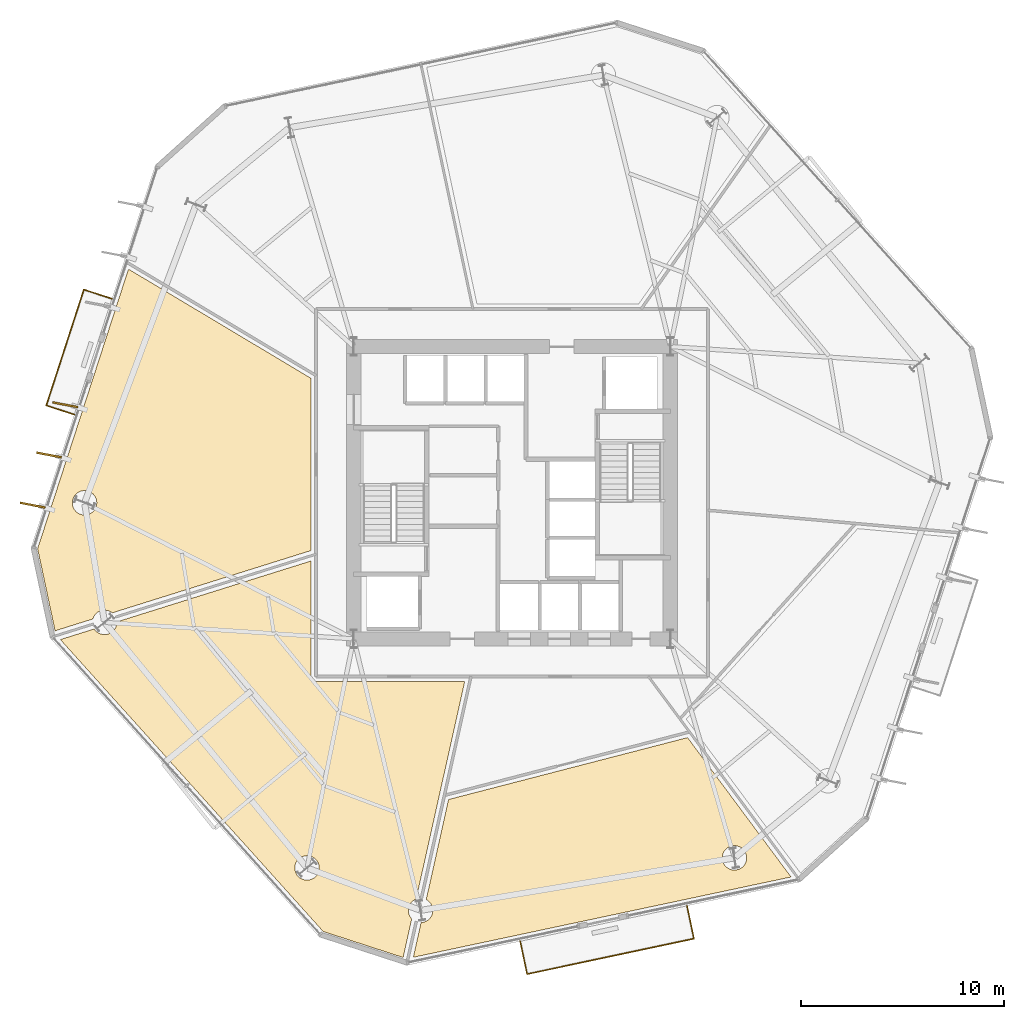
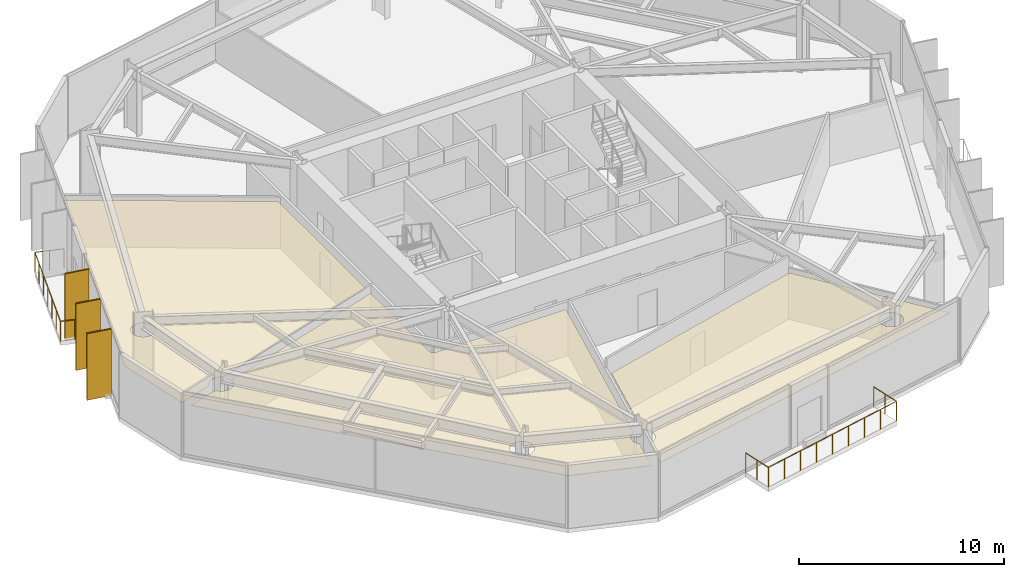
# One storey, part 8 of 10: 6 coverings, 3 shading devices, 2 railings.
"""IFC4 building model written with IfcOpenShell, lengths in metres."""

from ifc_helpers import new_model, si_unit, direction, frame, origin, origin_2d, place, context, subcontext, project, spatial, polyline, rectangle, circle, outline, extrude, material, layer, layer_set, type_object, element, save


model = new_model("IFC4")

# Units and contexts
model_context = context("Model", 3, precision=1e-05, world=origin(), true_north=direction((0.0, 1.0)))
body_context = subcontext(model_context, "Body", "Model", "MODEL_VIEW")
ifc_project = project(units=[si_unit("LENGTHUNIT", "METRE"), si_unit("AREAUNIT", "SQUARE_METRE"), si_unit("VOLUMEUNIT", "CUBIC_METRE"), si_unit("PLANEANGLEUNIT", "RADIAN"), si_unit("MASSUNIT", "GRAM", prefix="KILO")], contexts=[model_context])

# Site, building, storey
site_placement = place(None, origin())
site = spatial("IfcSite", under=ifc_project, at=site_placement, CompositionType="ELEMENT")
building_placement = place(site_placement, origin())
building = spatial("IfcBuilding", under=site, at=building_placement, Name="Kranzbogen Civic Tower", CompositionType="ELEMENT")
storey_placement = place(building_placement, frame((0.0, 0.0, 68.0)))
storey = spatial("IfcBuildingStorey", under=building, at=storey_placement, Name="L16", CompositionType="ELEMENT", Elevation=68.0)

# Coverings
ifc_material_1 = material(Name="Pale Anodised Aluminium", Category="aluminium")
ifc_layer_1 = layer(ifc_material_1, 0.02490234375, Name="Pale Anodised Aluminium")
ifc_layer_set_1 = layer_set([ifc_layer_1], Name="Pale Anodised Aluminium")
covering_type_1 = type_object("IfcCoveringType", Name="Anodised Aluminium Vertical Fin Cladding 25 mm", PredefinedType="CLADDING", material=ifc_layer_set_1)
for number, where, z_axis, x_axis, name in (
    (1, (2.991943359375, 29.333984375, -0.139892578125), (0.0, 0.0, 1.0), (-0.982395011686, 0.186815526695, 0.0), "L16 vertical fin pale-metal cladding F3-5"),
    (2, (2.18896484375, 26.861083984375, -0.139892578125), (0.0, 0.0, 1.0), (-0.982395011686, 0.186815526695, 0.0), "L16 vertical fin pale-metal cladding F3-6"),
    (3, (1.385009765625, 24.388916015625, -0.139892578125), (0.0, 0.0, 1.0), (-0.982395011686, 0.186815526695, 0.0), "L16 vertical fin pale-metal cladding F3-7"),
):
    element("IfcCovering", number, at=place(storey_placement, frame(where, z_axis=z_axis, x_axis=x_axis)), inside=storey, type_object=covering_type_1, Name=name, PredefinedType="CLADDING", context=body_context, shape_type="SweptSolid", body=[
        extrude(rectangle(XDim=1.25, YDim=0.10009765625, at=origin_2d()), origin(), (0.0, 0.0, 1.0), 3.9599609375),
    ])

# Shading devices
ifc_material_2 = material(Name="Anodised Bronze Aluminium", Category="aluminium")
shading_device_type = type_object("IfcShadingDeviceType", Name="Anodised Bronze Vertical Facade Fin 1250x80", PredefinedType="USERDEFINED", material=ifc_material_2)
for number, where, z_axis, x_axis, name in (
    (4, (2.991943359375, 29.333984375, -0.139892578125), (0.0, 0.0, 1.0), (-0.982395011686, 0.186815526695, 0.0), "L16 vertical exterior shading fin F3-5"),
    (5, (2.18896484375, 26.861083984375, -0.139892578125), (0.0, 0.0, 1.0), (-0.982395011686, 0.186815526695, 0.0), "L16 vertical exterior shading fin F3-6"),
    (6, (1.385009765625, 24.388916015625, -0.139892578125), (0.0, 0.0, 1.0), (-0.982395011686, 0.186815526695, 0.0), "L16 vertical exterior shading fin F3-7"),
):
    element("IfcShadingDevice", number, at=place(storey_placement, frame(where, z_axis=z_axis, x_axis=x_axis)), inside=storey, type_object=shading_device_type, Name=name, ObjectType="FIN", PredefinedType="USERDEFINED", context=body_context, shape_type="SweptSolid", body=[
        extrude(rectangle(XDim=1.25, YDim=0.080078125, at=origin_2d()), origin(), (0.0, 0.0, 1.0), 3.9599609375),
    ])

# Railings
railing_type = type_object("IfcRailingType", Name="Cantilevered Balcony Glass and Bronze Balustrade 1200", PredefinedType="BALUSTRADE", material=ifc_material_2)
railing_1_placement = place(storey_placement, frame((5.2890625, 34.55908203125, 0.0)))
element("IfcRailing", 7, at=railing_1_placement, inside=storey, type_object=railing_type, Name="L16 exterior terrace balustrade L16-TB1", PredefinedType="BALUSTRADE", context=body_context, shape_type="SweptSolid", body=[
    extrude(circle(Radius=0.02392578125, at=origin_2d()), frame((0.0, 0.0, 1.17578125), z_axis=(-0.951079836914, 0.308945211672, 0.0), x_axis=(-0.308945211672, -0.951079836914, 0.0)), (0.0, 0.0, 1.0), 1.4501953125),
    extrude(circle(Radius=0.02392578125, at=origin_2d()), frame((-1.379150390625, 0.447998046875, 1.17578125), z_axis=(-0.308968313309, -0.951072332355, 0.0), x_axis=(0.951072332355, -0.308968313309, 0.0)), (0.0, 0.0, 1.0), 6.000732421875),
    extrude(circle(Radius=0.02392578125, at=origin_2d()), frame((-3.233154296875, -5.259033203125, 1.17578125), z_axis=(0.951079836914, -0.308945211672, 0.0), x_axis=(0.308945211672, 0.951079836914, 0.0)), (0.0, 0.0, 1.0), 1.4501953125),
    extrude(circle(Radius=0.02099609375, at=origin_2d()), origin(), (0.0, 0.0, 1.0), 1.15185546875),
    extrude(circle(Radius=0.02099609375, at=origin_2d()), frame((-0.689453125, 0.22412109375, 0.0)), (0.0, 0.0, 1.0), 1.15185546875),
    extrude(circle(Radius=0.02099609375, at=origin_2d()), frame((-1.379150390625, 0.447998046875, 0.0)), (0.0, 0.0, 1.0), 1.15185546875),
    extrude(circle(Radius=0.02099609375, at=origin_2d()), frame((-1.688232421875, -0.503173828125, 0.0)), (0.0, 0.0, 1.0), 1.15185546875),
    extrude(circle(Radius=0.02099609375, at=origin_2d()), frame((-1.9970703125, -1.454345703125, 0.0)), (0.0, 0.0, 1.0), 1.15185546875),
    extrude(circle(Radius=0.02099609375, at=origin_2d()), frame((-2.30615234375, -2.405517578125, 0.0)), (0.0, 0.0, 1.0), 1.15185546875),
    extrude(circle(Radius=0.02099609375, at=origin_2d()), frame((-2.615234375, -3.356689453125, 0.0)), (0.0, 0.0, 1.0), 1.15185546875),
    extrude(circle(Radius=0.02099609375, at=origin_2d()), frame((-2.924072265625, -4.307861328125, 0.0)), (0.0, 0.0, 1.0), 1.15185546875),
    extrude(circle(Radius=0.02099609375, at=origin_2d()), frame((-3.233154296875, -5.259033203125, 0.0)), (0.0, 0.0, 1.0), 1.15185546875),
    extrude(circle(Radius=0.02099609375, at=origin_2d()), frame((-2.54345703125, -5.48291015625, 0.0)), (0.0, 0.0, 1.0), 1.15185546875),
    extrude(circle(Radius=0.02099609375, at=origin_2d()), frame((-1.85400390625, -5.70703125, 0.0)), (0.0, 0.0, 1.0), 1.15185546875),
])
railing_2_placement = place(storey_placement, frame((25.403076171875, 2.90087890625, 0.0)))
element("IfcRailing", 8, at=railing_2_placement, inside=storey, type_object=railing_type, Name="L16 exterior terrace balustrade L16-ST", PredefinedType="BALUSTRADE", context=body_context, shape_type="SweptSolid", body=[
    extrude(circle(Radius=0.02392578125, at=origin_2d()), frame((0.0, 0.0, 1.17578125), z_axis=(0.207911850433, -0.978147566806, 0.0), x_axis=(0.978147566806, 0.207911850433, 0.0)), (0.0, 0.0, 1.0), 1.64990234375),
    extrude(circle(Radius=0.02392578125, at=origin_2d()), frame((0.343017578125, -1.61376953125, 1.17578125), z_axis=(0.978164168857, 0.207833728651, 0.0), x_axis=(-0.207833728651, 0.978164168857, 0.0)), (0.0, 0.0, 1.0), 8.400146484375),
    extrude(circle(Radius=0.02392578125, at=origin_2d()), frame((8.559814453125, 0.132080078125, 1.17578125), z_axis=(-0.207740189156, 0.978184038824, 0.0), x_axis=(-0.978184038824, -0.207740189156, 0.0)), (0.0, 0.0, 1.0), 1.64990234375),
    extrude(circle(Radius=0.02099609375, at=origin_2d()), origin(), (0.0, 0.0, 1.0), 1.15185546875),
    extrude(circle(Radius=0.02099609375, at=origin_2d()), frame((0.17138671875, -0.806884765625, 0.0)), (0.0, 0.0, 1.0), 1.15185546875),
    extrude(circle(Radius=0.02099609375, at=origin_2d()), frame((0.343017578125, -1.61376953125, 0.0)), (0.0, 0.0, 1.0), 1.15185546875),
    extrude(circle(Radius=0.02099609375, at=origin_2d()), frame((1.3701171875, -1.3955078125, 0.0)), (0.0, 0.0, 1.0), 1.15185546875),
    extrude(circle(Radius=0.02099609375, at=origin_2d()), frame((2.397216796875, -1.17724609375, 0.0)), (0.0, 0.0, 1.0), 1.15185546875),
    extrude(circle(Radius=0.02099609375, at=origin_2d()), frame((3.42431640625, -0.958984375, 0.0)), (0.0, 0.0, 1.0), 1.15185546875),
    extrude(circle(Radius=0.02099609375, at=origin_2d()), frame((4.451416015625, -0.74072265625, 0.0)), (0.0, 0.0, 1.0), 1.15185546875),
    extrude(circle(Radius=0.02099609375, at=origin_2d()), frame((5.478515625, -0.522705078125, 0.0)), (0.0, 0.0, 1.0), 1.15185546875),
    extrude(circle(Radius=0.02099609375, at=origin_2d()), frame((6.505615234375, -0.304443359375, 0.0)), (0.0, 0.0, 1.0), 1.15185546875),
    extrude(circle(Radius=0.02099609375, at=origin_2d()), frame((7.53271484375, -0.086181640625, 0.0)), (0.0, 0.0, 1.0), 1.15185546875),
    extrude(circle(Radius=0.02099609375, at=origin_2d()), frame((8.559814453125, 0.132080078125, 0.0)), (0.0, 0.0, 1.0), 1.15185546875),
    extrude(circle(Radius=0.02099609375, at=origin_2d()), frame((8.388427734375, 0.93896484375, 0.0)), (0.0, 0.0, 1.0), 1.15185546875),
    extrude(circle(Radius=0.02099609375, at=origin_2d()), frame((8.217041015625, 1.74609375, 0.0)), (0.0, 0.0, 1.0), 1.15185546875),
])

# Coverings
ifc_material_3 = material(Name="Perforated Acoustic Gypsum Ceiling")
ifc_layer_2 = layer(ifc_material_3, 0.02490234375, Name="Perforated Acoustic Gypsum Ceiling")
ifc_layer_set_2 = layer_set([ifc_layer_2], Name="Perforated Acoustic Gypsum Ceiling")
covering_type_2 = type_object("IfcCoveringType", Name="Perforated Acoustic Mineral Ceiling Tile 25 mm", PredefinedType="CEILING", material=ifc_layer_set_2)
covering_1_placement = place(storey_placement, frame((0.0, 0.0, 2.89990234375)))
element("IfcCovering", 9, at=covering_1_placement, inside=storey, type_object=covering_type_2, Name="L16 Visitor Concierge Foyer acoustic ceiling", PredefinedType="CEILING", context=body_context, shape_type="SweptSolid", body=[
    extrude(outline(polyline([(2.75, 17.76708984375), (4.4208984375, 18.291015625), (4.427001953125, 18.280029296875), (4.462890625, 18.23193359375), (4.501953125, 18.18798828125), (4.5458984375, 18.14892578125), (4.593994140625, 18.113037109375), (4.64404296875, 18.0830078125), (4.697998046875, 18.05810546875), (4.7529296875, 18.0380859375), (4.81103515625, 18.02392578125), (4.868896484375, 18.014892578125), (4.927978515625, 18.011962890625), (4.987060546875, 18.014892578125), (5.044921875, 18.02392578125), (5.10302734375, 18.0380859375), (5.157958984375, 18.05810546875), (5.2119140625, 18.0830078125), (5.261962890625, 18.113037109375), (5.31005859375, 18.14892578125), (5.35400390625, 18.18798828125), (5.39306640625, 18.23193359375), (5.428955078125, 18.280029296875), (5.458984375, 18.330078125), (5.48388671875, 18.384033203125), (5.50390625, 18.43896484375), (5.51806640625, 18.4970703125), (5.527099609375, 18.554931640625), (5.530029296875, 18.614013671875), (5.529052734375, 18.637939453125), (15.10498046875, 21.64111328125), (15.10498046875, 15.949951171875), (15.10498046875, 15.94091796875), (15.10595703125, 15.93505859375), (15.10693359375, 15.9169921875), (15.10791015625, 15.910888671875), (15.112060546875, 15.89404296875), (15.113037109375, 15.886962890625), (15.117919921875, 15.8701171875), (15.1201171875, 15.864013671875), (15.126953125, 15.847900390625), (15.1298828125, 15.842041015625), (15.137939453125, 15.826904296875), (15.14208984375, 15.821044921875), (15.15087890625, 15.806884765625), (15.155029296875, 15.802001953125), (15.166015625, 15.7880859375), (15.1708984375, 15.782958984375), (15.18310546875, 15.77099609375), (15.18798828125, 15.76611328125), (15.201904296875, 15.7548828125), (15.20703125, 15.7509765625), (15.220947265625, 15.741943359375), (15.22705078125, 15.738037109375), (15.241943359375, 15.72998046875), (15.248046875, 15.72705078125), (15.263916015625, 15.719970703125), (15.27001953125, 15.718017578125), (15.287109375, 15.712890625), (15.2939453125, 15.7119140625), (15.31103515625, 15.7080078125), (15.31689453125, 15.70703125), (15.3349609375, 15.7060546875), (15.341064453125, 15.705078125), (15.35009765625, 15.705078125), (22.673095703125, 15.705078125), (20.278076171875, 4.985107421875), (20.264892578125, 4.97998046875), (20.2109375, 4.955078125), (20.160888671875, 4.925048828125), (20.113037109375, 4.888916015625), (20.069091796875, 4.85009765625), (20.030029296875, 4.805908203125), (19.993896484375, 4.758056640625), (19.964111328125, 4.7080078125), (19.93896484375, 4.654052734375), (19.9189453125, 4.59912109375), (19.905029296875, 4.541015625), (19.89599609375, 4.48291015625), (19.89306640625, 4.424072265625), (19.89599609375, 4.364990234375), (19.905029296875, 4.306884765625), (19.9189453125, 4.2490234375), (19.93896484375, 4.194091796875), (19.964111328125, 4.139892578125), (19.993896484375, 4.090087890625), (20.030029296875, 4.0419921875), (20.06005859375, 4.008056640625), (19.635009765625, 2.10498046875), (15.701904296875, 3.382080078125), (2.75, 17.76708984375)]), holes=[polyline([(15.45703125, 6.285888671875), (15.431884765625, 6.23193359375), (15.402099609375, 6.181884765625), (15.365966796875, 6.134033203125), (15.326904296875, 6.090087890625), (15.282958984375, 6.051025390625), (15.235107421875, 6.014892578125), (15.18505859375, 5.985107421875), (15.131103515625, 5.9599609375), (15.075927734375, 5.93994140625), (15.01806640625, 5.926025390625), (14.9599609375, 5.9169921875), (14.90087890625, 5.9140625), (14.842041015625, 5.9169921875), (14.783935546875, 5.926025390625), (14.72607421875, 5.93994140625), (14.6708984375, 5.9599609375), (14.616943359375, 5.985107421875), (14.56689453125, 6.014892578125), (14.51904296875, 6.051025390625), (14.47509765625, 6.090087890625), (14.43603515625, 6.134033203125), (14.39990234375, 6.181884765625), (14.3701171875, 6.23193359375), (14.344970703125, 6.285888671875), (14.324951171875, 6.341064453125), (14.31103515625, 6.39892578125), (14.302001953125, 6.45703125), (14.299072265625, 6.51611328125), (14.302001953125, 6.574951171875), (14.31103515625, 6.633056640625), (14.324951171875, 6.69091796875), (14.344970703125, 6.74609375), (14.3701171875, 6.800048828125), (14.39990234375, 6.85009765625), (14.43603515625, 6.89794921875), (14.47509765625, 6.94189453125), (14.51904296875, 6.98095703125), (14.56689453125, 7.01708984375), (14.616943359375, 7.047119140625), (14.6708984375, 7.072021484375), (14.72607421875, 7.092041015625), (14.783935546875, 7.10595703125), (14.842041015625, 7.114990234375), (14.90087890625, 7.117919921875), (14.9599609375, 7.114990234375), (15.01806640625, 7.10595703125), (15.075927734375, 7.092041015625), (15.131103515625, 7.072021484375), (15.18505859375, 7.047119140625), (15.235107421875, 7.01708984375), (15.282958984375, 6.98095703125), (15.326904296875, 6.94189453125), (15.365966796875, 6.89794921875), (15.402099609375, 6.85009765625), (15.431884765625, 6.800048828125), (15.45703125, 6.74609375), (15.47705078125, 6.69091796875), (15.490966796875, 6.633056640625), (15.5, 6.574951171875), (15.5029296875, 6.51611328125), (15.5, 6.45703125), (15.490966796875, 6.39892578125), (15.47705078125, 6.341064453125), (15.45703125, 6.285888671875)])]), origin(), (0.0, 0.0, 1.0), 0.025146484375),
])
covering_2_placement = place(storey_placement, frame((0.0, 0.0, 2.89990234375)))
element("IfcCovering", 10, at=covering_2_placement, inside=storey, type_object=covering_type_2, Name="L16 Legal Counsel Office acoustic ceiling", PredefinedType="CEILING", context=body_context, shape_type="SweptSolid", body=[
    extrude(outline(polyline([(33.64892578125, 12.93798828125), (38.748046875, 6.070068359375), (20.138916015625, 2.114990234375), (20.52099609375, 3.822998046875), (20.553955078125, 3.824951171875), (20.612060546875, 3.833984375), (20.669921875, 3.847900390625), (20.72509765625, 3.867919921875), (20.779052734375, 3.89306640625), (20.8291015625, 3.923095703125), (20.876953125, 3.958984375), (20.9208984375, 3.998046875), (20.9599609375, 4.0419921875), (20.99609375, 4.090087890625), (21.02587890625, 4.139892578125), (21.051025390625, 4.194091796875), (21.071044921875, 4.2490234375), (21.0849609375, 4.306884765625), (21.093994140625, 4.364990234375), (21.096923828125, 4.424072265625), (21.093994140625, 4.48291015625), (21.0849609375, 4.541015625), (21.071044921875, 4.59912109375), (21.051025390625, 4.654052734375), (21.02587890625, 4.7080078125), (20.99609375, 4.758056640625), (20.9599609375, 4.805908203125), (20.9208984375, 4.85009765625), (20.876953125, 4.888916015625), (20.8291015625, 4.925048828125), (20.779052734375, 4.955078125), (20.77392578125, 4.95703125), (21.8759765625, 9.888916015625), (33.64892578125, 12.93798828125)]), holes=[polyline([(36.513916015625, 6.781982421875), (36.489013671875, 6.72802734375), (36.458984375, 6.677978515625), (36.423095703125, 6.6298828125), (36.384033203125, 6.5859375), (36.340087890625, 6.547119140625), (36.2919921875, 6.510986328125), (36.241943359375, 6.48095703125), (36.18798828125, 6.4560546875), (36.133056640625, 6.43603515625), (36.074951171875, 6.422119140625), (36.01708984375, 6.4130859375), (35.9580078125, 6.409912109375), (35.89892578125, 6.4130859375), (35.841064453125, 6.422119140625), (35.782958984375, 6.43603515625), (35.72802734375, 6.4560546875), (35.674072265625, 6.48095703125), (35.6240234375, 6.510986328125), (35.575927734375, 6.547119140625), (35.531982421875, 6.5859375), (35.492919921875, 6.6298828125), (35.45703125, 6.677978515625), (35.427001953125, 6.72802734375), (35.402099609375, 6.781982421875), (35.382080078125, 6.8369140625), (35.367919921875, 6.89501953125), (35.35888671875, 6.952880859375), (35.35595703125, 7.011962890625), (35.35888671875, 7.071044921875), (35.367919921875, 7.12890625), (35.382080078125, 7.18701171875), (35.402099609375, 7.241943359375), (35.427001953125, 7.2958984375), (35.45703125, 7.345947265625), (35.492919921875, 7.39404296875), (35.531982421875, 7.43798828125), (35.575927734375, 7.47705078125), (35.6240234375, 7.512939453125), (35.674072265625, 7.54296875), (35.72802734375, 7.568115234375), (35.782958984375, 7.587890625), (35.841064453125, 7.60205078125), (35.89892578125, 7.611083984375), (35.9580078125, 7.614013671875), (36.01708984375, 7.611083984375), (36.074951171875, 7.60205078125), (36.133056640625, 7.587890625), (36.18798828125, 7.568115234375), (36.241943359375, 7.54296875), (36.2919921875, 7.512939453125), (36.340087890625, 7.47705078125), (36.384033203125, 7.43798828125), (36.423095703125, 7.39404296875), (36.458984375, 7.345947265625), (36.489013671875, 7.2958984375), (36.513916015625, 7.241943359375), (36.533935546875, 7.18701171875), (36.548095703125, 7.12890625), (36.556884765625, 7.071044921875), (36.56005859375, 7.011962890625), (36.556884765625, 6.952880859375), (36.548095703125, 6.89501953125), (36.533935546875, 6.8369140625), (36.513916015625, 6.781982421875)])]), origin(), (0.0, 0.0, 1.0), 0.025146484375),
])
covering_3_placement = place(storey_placement, frame((0.0, 0.0, 2.89990234375)))
element("IfcCovering", 11, at=covering_3_placement, inside=storey, type_object=covering_type_2, Name="L16 Civic Reference Library acoustic ceiling", PredefinedType="CEILING", context=body_context, shape_type="SweptSolid", body=[
    extrude(outline(polyline([(6.10498046875, 36.01806640625), (15.10498046875, 30.634033203125), (15.10498046875, 22.154052734375), (5.306884765625, 19.08203125), (5.261962890625, 19.114990234375), (5.2119140625, 19.14501953125), (5.157958984375, 19.169921875), (5.10302734375, 19.18994140625), (5.044921875, 19.2041015625), (4.987060546875, 19.212890625), (4.927978515625, 19.216064453125), (4.868896484375, 19.212890625), (4.81103515625, 19.2041015625), (4.7529296875, 19.18994140625), (4.697998046875, 19.169921875), (4.64404296875, 19.14501953125), (4.593994140625, 19.114990234375), (4.5458984375, 19.0791015625), (4.501953125, 19.0400390625), (4.462890625, 18.99609375), (4.427001953125, 18.947998046875), (4.39697265625, 18.89794921875), (4.3720703125, 18.843994140625), (4.35205078125, 18.7890625), (4.35009765625, 18.781982421875), (2.489013671875, 18.197998046875), (1.62890625, 22.242919921875), (6.10498046875, 36.01806640625)]), holes=[polyline([(4.4990234375, 24.27392578125), (4.47412109375, 24.219970703125), (4.444091796875, 24.169921875), (4.407958984375, 24.1220703125), (4.368896484375, 24.077880859375), (4.324951171875, 24.0390625), (4.277099609375, 24.0029296875), (4.22705078125, 23.972900390625), (4.173095703125, 23.947998046875), (4.117919921875, 23.927978515625), (4.06005859375, 23.9140625), (4.001953125, 23.905029296875), (3.943115234375, 23.902099609375), (3.884033203125, 23.905029296875), (3.825927734375, 23.9140625), (3.76806640625, 23.927978515625), (3.712890625, 23.947998046875), (3.658935546875, 23.972900390625), (3.60888671875, 24.0029296875), (3.56103515625, 24.0390625), (3.51708984375, 24.077880859375), (3.47802734375, 24.1220703125), (3.44189453125, 24.169921875), (3.412109375, 24.219970703125), (3.386962890625, 24.27392578125), (3.366943359375, 24.3291015625), (3.35302734375, 24.386962890625), (3.343994140625, 24.445068359375), (3.341064453125, 24.50390625), (3.343994140625, 24.56298828125), (3.35302734375, 24.62109375), (3.366943359375, 24.678955078125), (3.386962890625, 24.73388671875), (3.412109375, 24.7880859375), (3.44189453125, 24.837890625), (3.47802734375, 24.885986328125), (3.51708984375, 24.929931640625), (3.56103515625, 24.968994140625), (3.60888671875, 25.0048828125), (3.658935546875, 25.034912109375), (3.712890625, 25.06005859375), (3.76806640625, 25.080078125), (3.825927734375, 25.093994140625), (3.884033203125, 25.10302734375), (3.943115234375, 25.10595703125), (4.001953125, 25.10302734375), (4.06005859375, 25.093994140625), (4.117919921875, 25.080078125), (4.173095703125, 25.06005859375), (4.22705078125, 25.034912109375), (4.277099609375, 25.0048828125), (4.324951171875, 24.968994140625), (4.368896484375, 24.929931640625), (4.407958984375, 24.885986328125), (4.444091796875, 24.837890625), (4.47412109375, 24.7880859375), (4.4990234375, 24.73388671875), (4.51904296875, 24.678955078125), (4.532958984375, 24.62109375), (4.5419921875, 24.56298828125), (4.544921875, 24.50390625), (4.5419921875, 24.445068359375), (4.532958984375, 24.386962890625), (4.51904296875, 24.3291015625), (4.4990234375, 24.27392578125)])]), origin(), (0.0, 0.0, 1.0), 0.025146484375),
])

save(model, "model.ifc")
